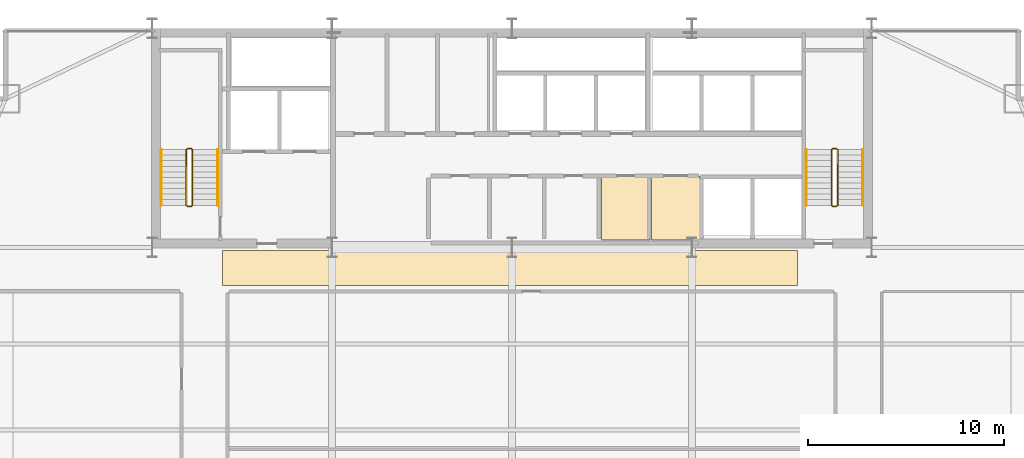
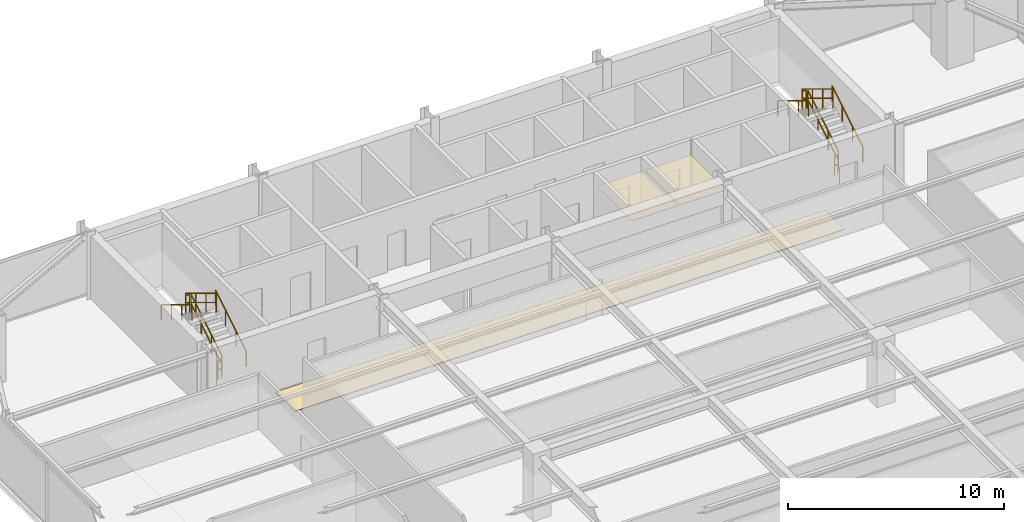
# One storey, part 36 of 36: 12 railings, 3 coverings.
"""IFC4 building model written with IfcOpenShell, lengths in metres."""

import ifcopenshell
import ifcopenshell.guid

model = None  # the IFC model being written
_history = None  # IfcOwnerHistory: only IFC2X3 demands one
_inside = {}  # id of a spatial element -> (the spatial element, [elements in it])
_under = {}  # id of a project, library or spatial element -> (it, [spatial elements below it])
_declared = {}  # id of a project -> (the project, [libraries it declares])
_typed = {}  # id of a type object -> (the type object, [elements of that type])
_made_of = {}  # id of a material, layer set ... -> (it, [elements and type objects made of it])


def new_model(schema):
    """Start an empty IFC model of exactly this schema.

    Asked for "IFC4X3", IfcOpenShell would pick the latest addendum, in which some entities
    have other attributes; the version numbers below select the first issue.
    IFC2X3 requires an IfcOwnerHistory on every rooted entity: one is made here for all.
    """
    global model, _history
    if schema == "IFC4X3":
        model = ifcopenshell.file(schema_version=(4, 3, 0, 0))
    else:
        model = ifcopenshell.file(schema=schema)
    _inside.clear()
    _under.clear()
    _declared.clear()
    _typed.clear()
    _made_of.clear()
    _history = None
    if model.schema == "IFC2X3":
        org = make("IfcOrganization", Name="unknown")
        user = make(
            "IfcPersonAndOrganization",
            ThePerson=make("IfcPerson", FamilyName="unknown"),
            TheOrganization=org,
        )
        app = make(
            "IfcApplication",
            ApplicationDeveloper=org,
            Version="unknown",
            ApplicationFullName="unknown",
            ApplicationIdentifier="unknown",
        )
        _history = make(
            "IfcOwnerHistory",
            OwningUser=user,
            OwningApplication=app,
            ChangeAction="ADDED",
            CreationDate=0,
        )
    return model


def make(cls, **values):
    """One entity of the class cls with the attributes given. An attribute that is None is left unset."""
    return model.create_entity(
        cls, **{name: value for name, value in values.items() if value is not None}
    )


def rooted(cls, **values):
    """An entity with a GlobalId (a new one), such as an element, a storey or a relation."""
    return make(cls, GlobalId=ifcopenshell.guid.new(), OwnerHistory=_history, **values)


def si_unit(unit_type, name, prefix=None):
    """IfcSIUnit, for example si_unit("LENGTHUNIT", "METRE", prefix="MILLI")."""
    return make("IfcSIUnit", UnitType=unit_type, Prefix=prefix, Name=name)


def assignment(units):
    """IfcUnitAssignment: the units of a project."""
    return None if units is None else make("IfcUnitAssignment", Units=units)


def point(xyz):
    """IfcCartesianPoint."""
    return None if xyz is None else make("IfcCartesianPoint", Coordinates=xyz)


def direction(xyz):
    """IfcDirection."""
    return None if xyz is None else make("IfcDirection", DirectionRatios=xyz)


def frame(location, z_axis=None, x_axis=None):
    """IfcAxis2Placement3D, a coordinate frame: its origin and axes. An axis left out is left unset."""
    return make(
        "IfcAxis2Placement3D",
        Location=point(location),
        Axis=direction(z_axis),
        RefDirection=direction(x_axis),
    )


def frame_2d(location, x_axis=None):
    """IfcAxis2Placement2D, a coordinate frame in the plane: its origin and x axis."""
    return make(
        "IfcAxis2Placement2D", Location=point(location), RefDirection=direction(x_axis)
    )


def origin():
    """The frame at (0, 0, 0) with its axes left unset."""
    return frame((0.0, 0.0, 0.0))


def origin_2d():
    """The frame at (0, 0) in the plane with its x axis left unset."""
    return frame_2d((0.0, 0.0))


def place(relative_to, where):
    """IfcLocalPlacement: puts the frame where relative to a parent placement (None: the world)."""
    return make(
        "IfcLocalPlacement", PlacementRelTo=relative_to, RelativePlacement=where
    )


def context(
    kind, dimensions, precision=None, world=None, true_north=None, identifier=None
):
    """IfcGeometricRepresentationContext, for example the 3D "Model" context."""
    return make(
        "IfcGeometricRepresentationContext",
        ContextIdentifier=identifier,
        ContextType=kind,
        CoordinateSpaceDimension=dimensions,
        Precision=precision,
        WorldCoordinateSystem=world,
        TrueNorth=true_north,
    )


def subcontext(parent, identifier, kind, view, scale=None):
    """IfcGeometricRepresentationSubContext, for example "Body" below "Model"."""
    return make(
        "IfcGeometricRepresentationSubContext",
        ContextIdentifier=identifier,
        ContextType=kind,
        ParentContext=parent,
        TargetScale=scale,
        TargetView=view,
    )


def project(units=None, contexts=None):
    """IfcProject with its units and contexts."""
    return rooted(
        "IfcProject",
        Name="project",
        RepresentationContexts=contexts,
        UnitsInContext=assignment(units),
    )


def spatial(cls, under=None, at=None, **own):
    """A site, building, storey or space (cls), placed at a placement, below another one or the project."""
    s = rooted(cls, ObjectPlacement=at, **own)
    if under is not None:
        _under.setdefault(under.id(), (under, []))[1].append(s)
    return s


def polyline(points):
    """IfcPolyline through the points."""
    return make("IfcPolyline", Points=[point(p) for p in points])


def profile(cls, at=None, kind="AREA", **sizes):
    """A parametric profile (cls). Its sizes go by their IFC names, for example OverallWidth=200.0."""
    return make(cls, ProfileType=kind, Position=at, **sizes)


def rectangle(**sizes):
    """IfcRectangleProfileDef."""
    return profile("IfcRectangleProfileDef", **sizes)


def outline(outer, holes=None, kind="AREA"):
    """IfcArbitraryClosedProfileDef: a profile drawn as a closed curve; with holes, ...WithVoids."""
    if holes is None:
        return make("IfcArbitraryClosedProfileDef", ProfileType=kind, OuterCurve=outer)
    return make(
        "IfcArbitraryProfileDefWithVoids",
        ProfileType=kind,
        OuterCurve=outer,
        InnerCurves=holes,
    )


def extrude(swept, where, along, depth):
    """IfcExtrudedAreaSolid: the profile swept, set in the frame where, extruded along a direction by depth."""
    return make(
        "IfcExtrudedAreaSolid",
        SweptArea=swept,
        Position=where,
        ExtrudedDirection=direction(along),
        Depth=depth,
    )


def shape(context_of_items, identifier, shape_type, items):
    """IfcShapeRepresentation: the items that make up one representation, for example the "Body"."""
    return make(
        "IfcShapeRepresentation",
        ContextOfItems=context_of_items,
        RepresentationIdentifier=identifier,
        RepresentationType=shape_type,
        Items=items,
    )


def material(Name=None, Category=None):
    """IfcMaterial."""
    return make("IfcMaterial", Name=Name, Category=Category)


def layer(
    of_material, thickness, ventilated=None, Name=None, Category=None, Priority=None
):
    """IfcMaterialLayer: one layer of a wall or slab, of a material (None: an air gap)."""
    return make(
        "IfcMaterialLayer",
        Material=of_material,
        LayerThickness=thickness,
        IsVentilated=ventilated,
        Name=Name,
        Category=Category,
        Priority=Priority,
    )


def layer_set(layers, Name=None):
    """IfcMaterialLayerSet."""
    return make("IfcMaterialLayerSet", MaterialLayers=layers, LayerSetName=Name)


def made_of(thing, what):
    """Note that an element or type object is made of a material, layer set ...; save() writes the relation."""
    if what is not None:
        _made_of.setdefault(what.id(), (what, []))[1].append(thing)
    return thing


def type_object(cls, material=None, **own):
    """A type object (cls), such as IfcWallType, which elements share."""
    return made_of(rooted(cls, **own), material)


def element(
    cls,
    number,
    at=None,
    inside=None,
    cuts=None,
    type_object=None,
    material=None,
    context=None,
    identifier="Body",
    shape_type=None,
    held_by="IfcProductDefinitionShape",
    body=None,
    shapes=None,
    **own,
):
    """One element of the class cls, such as IfcWall. Its Tag is "e" and its number.

    at: its placement. inside: the storey or other place that contains it. cuts: it is an
    opening in that element (IfcRelVoidsElement). A single representation is given by context,
    identifier, shape_type and body (its items); several are given by shapes. held_by: the class
    of the entity that holds the representations. save() writes the other relations.
    """
    e = rooted(cls, Tag="e%d" % number, ObjectPlacement=at, **own)
    if body is not None:
        shapes = [shape(context, identifier, shape_type, body)]
    if shapes is not None:
        e.Representation = make(held_by, Representations=shapes)
    if inside is not None:
        _inside.setdefault(inside.id(), (inside, []))[1].append(e)
    if cuts is not None:
        rooted(
            "IfcRelVoidsElement", RelatingBuildingElement=cuts, RelatedOpeningElement=e
        )
    if type_object is not None:
        _typed.setdefault(type_object.id(), (type_object, []))[1].append(e)
    return made_of(e, material)


def aggregate(whole, parts):
    """IfcRelAggregates: a whole, such as a stair, and the parts it consists of."""
    return rooted("IfcRelAggregates", RelatingObject=whole, RelatedObjects=parts)


def save(model, path):
    """Write the relations noted so far, then the file.

    IfcRelAggregates (storeys below a building ...), IfcRelContainedInSpatialStructure (elements
    in a storey), IfcRelDefinesByType, IfcRelAssociatesMaterial and IfcRelDeclares: one each for
    every whole, place, type object, material and project.
    """
    for whole, parts in _under.values():
        aggregate(whole, parts)
    for where, things in _inside.values():
        rooted(
            "IfcRelContainedInSpatialStructure",
            RelatedElements=things,
            RelatingStructure=where,
        )
    for kind, things in _typed.values():
        rooted("IfcRelDefinesByType", RelatedObjects=things, RelatingType=kind)
    for what, things in _made_of.values():
        rooted("IfcRelAssociatesMaterial", RelatedObjects=things, RelatingMaterial=what)
    for by, libraries in _declared.values():
        rooted("IfcRelDeclares", RelatingContext=by, RelatedDefinitions=libraries)
    model.write(path)


model = new_model("IFC4")

# Units and contexts
model_context = context("Model", 3, precision=1e-05, world=origin(), true_north=direction((0.0, 1.0)))
body_context = subcontext(model_context, "Body", "Model", "MODEL_VIEW")
ifc_project = project(units=[si_unit("LENGTHUNIT", "METRE"), si_unit("AREAUNIT", "SQUARE_METRE"), si_unit("VOLUMEUNIT", "CUBIC_METRE"), si_unit("PLANEANGLEUNIT", "RADIAN"), si_unit("MASSUNIT", "GRAM", prefix="KILO")], contexts=[model_context])

# Site, building, storey
site_placement = place(None, origin())
site = spatial("IfcSite", under=ifc_project, at=site_placement, CompositionType="ELEMENT")
building_placement = place(site_placement, origin())
building = spatial("IfcBuilding", under=site, at=building_placement, Name="Varnel Quay Broadcast Tower", CompositionType="ELEMENT")
storey_placement = place(building_placement, frame((0.0, 0.0, 114.39990234375)))
storey = spatial("IfcBuildingStorey", under=building, at=storey_placement, Name="L27", CompositionType="ELEMENT", Elevation=114.39990234375)

# Coverings
ifc_material_1 = material(Name="Micro-Perforated Acoustic Ceiling Tile")
ifc_layer_1 = layer(ifc_material_1, 0.0400390625, Name="Micro-Perforated Acoustic Ceiling Tile")
ifc_layer_set_1 = layer_set([ifc_layer_1], Name="Micro-Perforated Acoustic Ceiling Tile")
covering_type_1 = type_object("IfcCoveringType", Name="Cov_AcousticCeiling", PredefinedType="CEILING", material=ifc_layer_set_1)
covering_1_placement = place(storey_placement, frame((0.0, 0.0, 2.580078125)))
element("IfcCovering", 1, at=covering_1_placement, inside=storey, type_object=covering_type_1, Name="L27 Cleaners' & Linen Store Acoustic Ceiling", PredefinedType="CEILING", context=body_context, shape_type="SweptSolid", body=[
    extrude(outline(polyline([(38.5849609375, 35.985107421875), (41.06494140625, 35.985107421875), (41.06494140625, 39.215087890625), (38.5849609375, 39.215087890625), (38.5849609375, 35.985107421875)])), origin(), (0.0, 0.0, 1.0), 0.0400390625),
])
covering_2_placement = place(storey_placement, frame((0.0, 0.0, 2.580078125)))
element("IfcCovering", 2, at=covering_2_placement, inside=storey, type_object=covering_type_1, Name="L27 Telecom IDF Closet Acoustic Ceiling", PredefinedType="CEILING", context=body_context, shape_type="SweptSolid", body=[
    extrude(outline(polyline([(41.135009765625, 35.985107421875), (43.614990234375, 35.985107421875), (43.614990234375, 39.215087890625), (41.135009765625, 39.215087890625), (41.135009765625, 35.985107421875)])), origin(), (0.0, 0.0, 1.0), 0.0400390625),
])
ifc_material_2 = material(Name="Polished Terrazzo & Broadcast Raised Flooring")
ifc_layer_2 = layer(ifc_material_2, 0.0400390625, Name="Polished Terrazzo & Broadcast Raised Flooring")
ifc_layer_set_2 = layer_set([ifc_layer_2], Name="Polished Terrazzo & Broadcast Raised Flooring")
covering_type_2 = type_object("IfcCoveringType", Name="Cov_TerrazzoFloor", PredefinedType="FLOORING", material=ifc_layer_set_2)
covering_3_placement = place(storey_placement, origin())
element("IfcCovering", 3, at=covering_3_placement, inside=storey, type_object=covering_type_2, Name="L27 Corridor Terrazzo Flooring", PredefinedType="FLOORING", context=body_context, shape_type="SweptSolid", body=[
    extrude(outline(polyline([(19.199951171875, 33.64990234375), (48.60009765625, 33.64990234375), (48.60009765625, 35.449951171875), (19.199951171875, 35.449951171875), (19.199951171875, 33.64990234375)])), origin(), (0.0, 0.0, 1.0), 0.0400390625),
])

# Railings
ifc_material_3 = material(Name="Painted Steel Guard and Handrail CSA G40.21 350W", Category="steel")
railing_type_1 = type_object("IfcRailingType", Name="Rail_StairGuard1100", PredefinedType="GUARDRAIL", material=ifc_material_3)
railing_1_placement = place(storey_placement, frame((17.64990234375, 37.75, 0.1728515625)))
element("IfcRailing", 4, at=railing_1_placement, inside=storey, type_object=railing_type_1, Name="L27 ST-01 stair guard 1", PredefinedType="GUARDRAIL", context=body_context, shape_type="SweptSolid", body=[
    extrude(rectangle(XDim=0.048095703125, YDim=0.048095703125, at=origin_2d()), frame((0.0, 0.0, 1.076171875), z_axis=(0.0, 0.855202751398, 0.518293598264), x_axis=(-1.0, 0.0, 0.0)), (0.0, 0.0, 1.0), 3.332763671875),
    extrude(rectangle(XDim=0.048095703125, YDim=0.048095703125, at=origin_2d()), frame((0.0, 0.0, 0.550048828125), z_axis=(0.0, 0.855202751398, 0.518293598264), x_axis=(-1.0, 0.0, 0.0)), (0.0, 0.0, 1.0), 3.332763671875),
    extrude(rectangle(XDim=0.0419921875, YDim=0.0419921875, at=origin_2d()), origin(), (0.0, 0.0, 1.0), 1.052001953125),
    extrude(rectangle(XDim=0.0419921875, YDim=0.0419921875, at=origin_2d()), frame((0.0, 0.949951171875, 0.57568359375)), (0.0, 0.0, 1.0), 1.052001953125),
    extrude(rectangle(XDim=0.0419921875, YDim=0.0419921875, at=origin_2d()), frame((0.0, 1.900146484375, 1.151611328125)), (0.0, 0.0, 1.0), 1.052001953125),
    extrude(rectangle(XDim=0.0419921875, YDim=0.0419921875, at=origin_2d()), frame((0.0, 2.85009765625, 1.727294921875)), (0.0, 0.0, 1.0), 1.052001953125),
])
railing_2_placement = place(storey_placement, frame((17.60009765625, 40.64990234375, 1.900146484375)))
element("IfcRailing", 5, at=railing_2_placement, inside=storey, type_object=railing_type_1, Name="L27 ST-01 stair guard 2", PredefinedType="GUARDRAIL", context=body_context, shape_type="SweptSolid", body=[
    extrude(rectangle(XDim=0.048095703125, YDim=0.048095703125, at=origin_2d()), frame((0.0, 0.0, 1.076171875), z_axis=(-1.0, 0.0, 0.0), x_axis=(0.0, -1.0, 0.0)), (0.0, 0.0, 1.0), 0.2001953125),
    extrude(rectangle(XDim=0.048095703125, YDim=0.048095703125, at=origin_2d()), frame((0.0, 0.0, 0.550048828125), z_axis=(-1.0, 0.0, 0.0), x_axis=(0.0, -1.0, 0.0)), (0.0, 0.0, 1.0), 0.2001953125),
    extrude(rectangle(XDim=0.0419921875, YDim=0.0419921875, at=origin_2d()), origin(), (0.0, 0.0, 1.0), 1.052001953125),
    extrude(rectangle(XDim=0.0419921875, YDim=0.0419921875, at=origin_2d()), frame((-0.2001953125, 0.0, 0.0)), (0.0, 0.0, 1.0), 1.052001953125),
])
railing_3_placement = place(storey_placement, frame((17.35009765625, 40.60009765625, 2.07275390625)))
element("IfcRailing", 6, at=railing_3_placement, inside=storey, type_object=railing_type_1, Name="L27 ST-01 stair guard 3", PredefinedType="GUARDRAIL", context=body_context, shape_type="SweptSolid", body=[
    extrude(rectangle(XDim=0.048095703125, YDim=0.048095703125, at=origin_2d()), frame((0.0, 0.0, 1.076171875), z_axis=(0.0, -0.855202751398, 0.518293598264), x_axis=(1.0, 0.0, 0.0)), (0.0, 0.0, 1.0), 3.332763671875),
    extrude(rectangle(XDim=0.048095703125, YDim=0.048095703125, at=origin_2d()), frame((0.0, 0.0, 0.550048828125), z_axis=(0.0, -0.855202751398, 0.518293598264), x_axis=(1.0, 0.0, 0.0)), (0.0, 0.0, 1.0), 3.332763671875),
    extrude(rectangle(XDim=0.0419921875, YDim=0.0419921875, at=origin_2d()), origin(), (0.0, 0.0, 1.0), 1.052001953125),
    extrude(rectangle(XDim=0.0419921875, YDim=0.0419921875, at=origin_2d()), frame((0.0, -0.949951171875, 0.57568359375)), (0.0, 0.0, 1.0), 1.052001953125),
    extrude(rectangle(XDim=0.0419921875, YDim=0.0419921875, at=origin_2d()), frame((0.0, -1.900146484375, 1.151611328125)), (0.0, 0.0, 1.0), 1.052001953125),
    extrude(rectangle(XDim=0.0419921875, YDim=0.0419921875, at=origin_2d()), frame((0.0, -2.85009765625, 1.727294921875)), (0.0, 0.0, 1.0), 1.052001953125),
])
railing_4_placement = place(storey_placement, frame((17.60009765625, 37.699951171875, 0.0)))
element("IfcRailing", 7, at=railing_4_placement, inside=storey, type_object=railing_type_1, Name="L27 ST-01 stair guard 4", PredefinedType="GUARDRAIL", context=body_context, shape_type="SweptSolid", body=[
    extrude(rectangle(XDim=0.048095703125, YDim=0.048095703125, at=origin_2d()), frame((0.0, 0.0, 1.076171875), z_axis=(-1.0, 0.0, 0.0), x_axis=(0.0, -1.0, 0.0)), (0.0, 0.0, 1.0), 0.2001953125),
    extrude(rectangle(XDim=0.048095703125, YDim=0.048095703125, at=origin_2d()), frame((0.0, 0.0, 0.550048828125), z_axis=(-1.0, 0.0, 0.0), x_axis=(0.0, -1.0, 0.0)), (0.0, 0.0, 1.0), 0.2001953125),
    extrude(rectangle(XDim=0.0419921875, YDim=0.0419921875, at=origin_2d()), origin(), (0.0, 0.0, 1.0), 1.052001953125),
    extrude(rectangle(XDim=0.0419921875, YDim=0.0419921875, at=origin_2d()), frame((-0.2001953125, 0.0, 0.0)), (0.0, 0.0, 1.0), 1.052001953125),
])
railing_5_placement = place(storey_placement, frame((50.64990234375, 37.75, 0.1728515625)))
element("IfcRailing", 8, at=railing_5_placement, inside=storey, type_object=railing_type_1, Name="L27 ST-02 stair guard 1", PredefinedType="GUARDRAIL", context=body_context, shape_type="SweptSolid", body=[
    extrude(rectangle(XDim=0.048095703125, YDim=0.048095703125, at=origin_2d()), frame((0.0, 0.0, 1.076171875), z_axis=(0.0, 0.855202751398, 0.518293598264), x_axis=(-1.0, 0.0, 0.0)), (0.0, 0.0, 1.0), 3.332763671875),
    extrude(rectangle(XDim=0.048095703125, YDim=0.048095703125, at=origin_2d()), frame((0.0, 0.0, 0.550048828125), z_axis=(0.0, 0.855202751398, 0.518293598264), x_axis=(-1.0, 0.0, 0.0)), (0.0, 0.0, 1.0), 3.332763671875),
    extrude(rectangle(XDim=0.0419921875, YDim=0.0419921875, at=origin_2d()), origin(), (0.0, 0.0, 1.0), 1.052001953125),
    extrude(rectangle(XDim=0.0419921875, YDim=0.0419921875, at=origin_2d()), frame((0.0, 0.949951171875, 0.57568359375)), (0.0, 0.0, 1.0), 1.052001953125),
    extrude(rectangle(XDim=0.0419921875, YDim=0.0419921875, at=origin_2d()), frame((0.0, 1.900146484375, 1.151611328125)), (0.0, 0.0, 1.0), 1.052001953125),
    extrude(rectangle(XDim=0.0419921875, YDim=0.0419921875, at=origin_2d()), frame((0.0, 2.85009765625, 1.727294921875)), (0.0, 0.0, 1.0), 1.052001953125),
])
railing_6_placement = place(storey_placement, frame((50.60009765625, 40.64990234375, 1.900146484375)))
element("IfcRailing", 9, at=railing_6_placement, inside=storey, type_object=railing_type_1, Name="L27 ST-02 stair guard 2", PredefinedType="GUARDRAIL", context=body_context, shape_type="SweptSolid", body=[
    extrude(rectangle(XDim=0.048095703125, YDim=0.048095703125, at=origin_2d()), frame((0.0, 0.0, 1.076171875), z_axis=(-1.0, 0.0, 0.0), x_axis=(0.0, -1.0, 0.0)), (0.0, 0.0, 1.0), 0.2001953125),
    extrude(rectangle(XDim=0.048095703125, YDim=0.048095703125, at=origin_2d()), frame((0.0, 0.0, 0.550048828125), z_axis=(-1.0, 0.0, 0.0), x_axis=(0.0, -1.0, 0.0)), (0.0, 0.0, 1.0), 0.2001953125),
    extrude(rectangle(XDim=0.0419921875, YDim=0.0419921875, at=origin_2d()), origin(), (0.0, 0.0, 1.0), 1.052001953125),
    extrude(rectangle(XDim=0.0419921875, YDim=0.0419921875, at=origin_2d()), frame((-0.2001953125, 0.0, 0.0)), (0.0, 0.0, 1.0), 1.052001953125),
])
railing_7_placement = place(storey_placement, frame((50.35009765625, 40.60009765625, 2.07275390625)))
element("IfcRailing", 10, at=railing_7_placement, inside=storey, type_object=railing_type_1, Name="L27 ST-02 stair guard 3", PredefinedType="GUARDRAIL", context=body_context, shape_type="SweptSolid", body=[
    extrude(rectangle(XDim=0.048095703125, YDim=0.048095703125, at=origin_2d()), frame((0.0, 0.0, 1.076171875), z_axis=(0.0, -0.855202751398, 0.518293598264), x_axis=(1.0, 0.0, 0.0)), (0.0, 0.0, 1.0), 3.332763671875),
    extrude(rectangle(XDim=0.048095703125, YDim=0.048095703125, at=origin_2d()), frame((0.0, 0.0, 0.550048828125), z_axis=(0.0, -0.855202751398, 0.518293598264), x_axis=(1.0, 0.0, 0.0)), (0.0, 0.0, 1.0), 3.332763671875),
    extrude(rectangle(XDim=0.0419921875, YDim=0.0419921875, at=origin_2d()), origin(), (0.0, 0.0, 1.0), 1.052001953125),
    extrude(rectangle(XDim=0.0419921875, YDim=0.0419921875, at=origin_2d()), frame((0.0, -0.949951171875, 0.57568359375)), (0.0, 0.0, 1.0), 1.052001953125),
    extrude(rectangle(XDim=0.0419921875, YDim=0.0419921875, at=origin_2d()), frame((0.0, -1.900146484375, 1.151611328125)), (0.0, 0.0, 1.0), 1.052001953125),
    extrude(rectangle(XDim=0.0419921875, YDim=0.0419921875, at=origin_2d()), frame((0.0, -2.85009765625, 1.727294921875)), (0.0, 0.0, 1.0), 1.052001953125),
])
railing_8_placement = place(storey_placement, frame((50.60009765625, 37.699951171875, 0.0)))
element("IfcRailing", 11, at=railing_8_placement, inside=storey, type_object=railing_type_1, Name="L27 ST-02 stair guard 4", PredefinedType="GUARDRAIL", context=body_context, shape_type="SweptSolid", body=[
    extrude(rectangle(XDim=0.048095703125, YDim=0.048095703125, at=origin_2d()), frame((0.0, 0.0, 1.076171875), z_axis=(-1.0, 0.0, 0.0), x_axis=(0.0, -1.0, 0.0)), (0.0, 0.0, 1.0), 0.2001953125),
    extrude(rectangle(XDim=0.048095703125, YDim=0.048095703125, at=origin_2d()), frame((0.0, 0.0, 0.550048828125), z_axis=(-1.0, 0.0, 0.0), x_axis=(0.0, -1.0, 0.0)), (0.0, 0.0, 1.0), 0.2001953125),
    extrude(rectangle(XDim=0.0419921875, YDim=0.0419921875, at=origin_2d()), origin(), (0.0, 0.0, 1.0), 1.052001953125),
    extrude(rectangle(XDim=0.0419921875, YDim=0.0419921875, at=origin_2d()), frame((-0.2001953125, 0.0, 0.0)), (0.0, 0.0, 1.0), 1.052001953125),
])
railing_type_2 = type_object("IfcRailingType", Name="Rail_StairHandrail900", PredefinedType="HANDRAIL", material=ifc_material_3)
railing_9_placement = place(storey_placement, frame((18.949951171875, 37.75, 0.1728515625)))
element("IfcRailing", 12, at=railing_9_placement, inside=storey, type_object=railing_type_2, Name="L27 ST-01 stair handrail 1", PredefinedType="HANDRAIL", context=body_context, shape_type="SweptSolid", body=[
    extrude(rectangle(XDim=0.048095703125, YDim=0.048095703125, at=origin_2d()), frame((0.0, 0.0, 0.8759765625), z_axis=(0.0, 0.855202751398, 0.518293598264), x_axis=(-1.0, 0.0, 0.0)), (0.0, 0.0, 1.0), 3.332763671875),
    extrude(rectangle(XDim=0.0419921875, YDim=0.0419921875, at=origin_2d()), origin(), (0.0, 0.0, 1.0), 0.851806640625),
    extrude(rectangle(XDim=0.0419921875, YDim=0.0419921875, at=origin_2d()), frame((0.0, 0.949951171875, 0.57568359375)), (0.0, 0.0, 1.0), 0.851806640625),
    extrude(rectangle(XDim=0.0419921875, YDim=0.0419921875, at=origin_2d()), frame((0.0, 1.900146484375, 1.151611328125)), (0.0, 0.0, 1.0), 0.851806640625),
    extrude(rectangle(XDim=0.0419921875, YDim=0.0419921875, at=origin_2d()), frame((0.0, 2.85009765625, 1.727294921875)), (0.0, 0.0, 1.0), 0.851806640625),
])
railing_10_placement = place(storey_placement, frame((16.050048828125, 40.60009765625, 2.07275390625)))
element("IfcRailing", 13, at=railing_10_placement, inside=storey, type_object=railing_type_2, Name="L27 ST-01 stair handrail 2", PredefinedType="HANDRAIL", context=body_context, shape_type="SweptSolid", body=[
    extrude(rectangle(XDim=0.048095703125, YDim=0.048095703125, at=origin_2d()), frame((0.0, 0.0, 0.8759765625), z_axis=(0.0, -0.855202751398, 0.518293598264), x_axis=(1.0, 0.0, 0.0)), (0.0, 0.0, 1.0), 3.332763671875),
    extrude(rectangle(XDim=0.0419921875, YDim=0.0419921875, at=origin_2d()), origin(), (0.0, 0.0, 1.0), 0.851806640625),
    extrude(rectangle(XDim=0.0419921875, YDim=0.0419921875, at=origin_2d()), frame((0.0, -0.949951171875, 0.57568359375)), (0.0, 0.0, 1.0), 0.851806640625),
    extrude(rectangle(XDim=0.0419921875, YDim=0.0419921875, at=origin_2d()), frame((0.0, -1.900146484375, 1.151611328125)), (0.0, 0.0, 1.0), 0.851806640625),
    extrude(rectangle(XDim=0.0419921875, YDim=0.0419921875, at=origin_2d()), frame((0.0, -2.85009765625, 1.727294921875)), (0.0, 0.0, 1.0), 0.851806640625),
])
railing_11_placement = place(storey_placement, frame((51.949951171875, 37.75, 0.1728515625)))
element("IfcRailing", 14, at=railing_11_placement, inside=storey, type_object=railing_type_2, Name="L27 ST-02 stair handrail 1", PredefinedType="HANDRAIL", context=body_context, shape_type="SweptSolid", body=[
    extrude(rectangle(XDim=0.048095703125, YDim=0.048095703125, at=origin_2d()), frame((0.0, 0.0, 0.8759765625), z_axis=(0.0, 0.855202751398, 0.518293598264), x_axis=(-1.0, 0.0, 0.0)), (0.0, 0.0, 1.0), 3.332763671875),
    extrude(rectangle(XDim=0.0419921875, YDim=0.0419921875, at=origin_2d()), origin(), (0.0, 0.0, 1.0), 0.851806640625),
    extrude(rectangle(XDim=0.0419921875, YDim=0.0419921875, at=origin_2d()), frame((0.0, 0.949951171875, 0.57568359375)), (0.0, 0.0, 1.0), 0.851806640625),
    extrude(rectangle(XDim=0.0419921875, YDim=0.0419921875, at=origin_2d()), frame((0.0, 1.900146484375, 1.151611328125)), (0.0, 0.0, 1.0), 0.851806640625),
    extrude(rectangle(XDim=0.0419921875, YDim=0.0419921875, at=origin_2d()), frame((0.0, 2.85009765625, 1.727294921875)), (0.0, 0.0, 1.0), 0.851806640625),
])
railing_12_placement = place(storey_placement, frame((49.050048828125, 40.60009765625, 2.07275390625)))
element("IfcRailing", 15, at=railing_12_placement, inside=storey, type_object=railing_type_2, Name="L27 ST-02 stair handrail 2", PredefinedType="HANDRAIL", context=body_context, shape_type="SweptSolid", body=[
    extrude(rectangle(XDim=0.048095703125, YDim=0.048095703125, at=origin_2d()), frame((0.0, 0.0, 0.8759765625), z_axis=(0.0, -0.855202751398, 0.518293598264), x_axis=(1.0, 0.0, 0.0)), (0.0, 0.0, 1.0), 3.332763671875),
    extrude(rectangle(XDim=0.0419921875, YDim=0.0419921875, at=origin_2d()), origin(), (0.0, 0.0, 1.0), 0.851806640625),
    extrude(rectangle(XDim=0.0419921875, YDim=0.0419921875, at=origin_2d()), frame((0.0, -0.949951171875, 0.57568359375)), (0.0, 0.0, 1.0), 0.851806640625),
    extrude(rectangle(XDim=0.0419921875, YDim=0.0419921875, at=origin_2d()), frame((0.0, -1.900146484375, 1.151611328125)), (0.0, 0.0, 1.0), 0.851806640625),
    extrude(rectangle(XDim=0.0419921875, YDim=0.0419921875, at=origin_2d()), frame((0.0, -2.85009765625, 1.727294921875)), (0.0, 0.0, 1.0), 0.851806640625),
])

save(model, "model.ifc")
